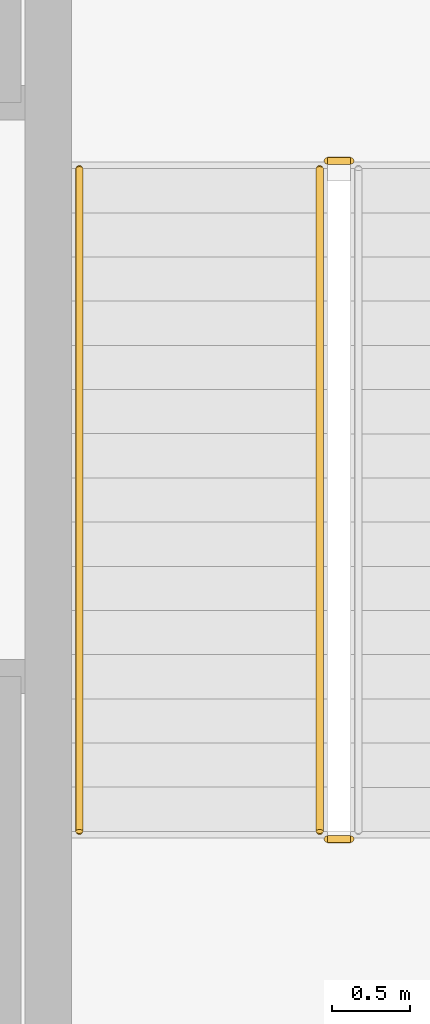
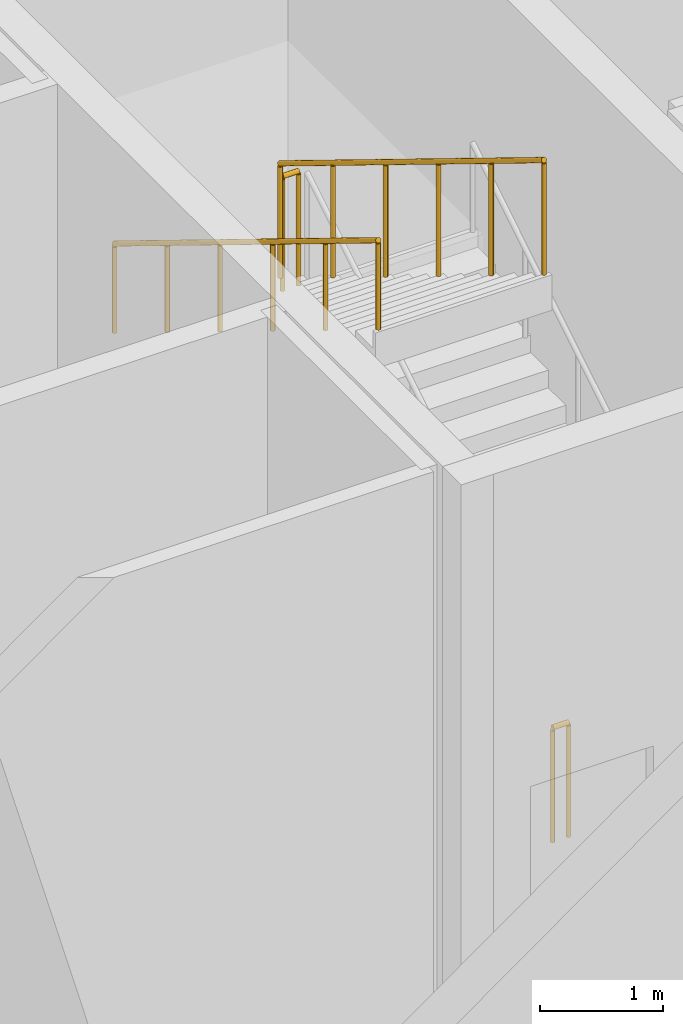
# One storey, part 19 of 21: 4 railings.
"""IFC4 building model written with IfcOpenShell, lengths in metres."""

from ifc_helpers import new_model, si_unit, direction, frame, origin, origin_2d, place, context, subcontext, project, spatial, circle, extrude, material, type_object, element, save


model = new_model("IFC4")

# Units and contexts
model_context = context("Model", 3, precision=1e-05, world=origin(), true_north=direction((0.0, 1.0)))
body_context = subcontext(model_context, "Body", "Model", "MODEL_VIEW")
ifc_project = project(units=[si_unit("LENGTHUNIT", "METRE"), si_unit("AREAUNIT", "SQUARE_METRE"), si_unit("VOLUMEUNIT", "CUBIC_METRE"), si_unit("PLANEANGLEUNIT", "RADIAN"), si_unit("MASSUNIT", "GRAM", prefix="KILO")], contexts=[model_context])

# Site, building, storey
site_placement = place(None, origin())
site = spatial("IfcSite", under=ifc_project, at=site_placement, CompositionType="ELEMENT")
building_placement = place(site_placement, origin())
building = spatial("IfcBuilding", under=site, at=building_placement, Name="Nhamokura Convention Tower", CompositionType="ELEMENT")
storey_placement = place(building_placement, frame((0.0, 0.0, 12.25)))
storey = spatial("IfcBuildingStorey", under=building, at=storey_placement, Name="L02", CompositionType="ELEMENT", Elevation=12.25)

# Railings
ifc_material_1 = material(Name="Anodised bronze stainless steel", Category="steel")
railing_type_1 = type_object("IfcRailingType", Name="StairWallHandrail_900", PredefinedType="HANDRAIL", material=ifc_material_1)
railing_1_placement = place(storey_placement, frame((30.300048828125, 39.425048828125, 2.97509765625)))
element("IfcRailing", 1, at=railing_1_placement, inside=storey, type_object=railing_type_1, Name="L02 ST-03 stair handrail 2", PredefinedType="HANDRAIL", context=body_context, shape_type="SweptSolid", body=[
    extrude(circle(Radius=0.02392578125, at=origin_2d()), frame((0.0, 0.0, 0.8759765625), z_axis=(0.0, -0.852179220489, 0.52325001306), x_axis=(1.0, 0.0, 0.0)), (0.0, 0.0, 1.0), 5.0166015625),
    extrude(circle(Radius=0.02099609375, at=origin_2d()), origin(), (0.0, 0.0, 1.0), 0.851806640625),
    extrude(circle(Radius=0.02099609375, at=origin_2d()), frame((0.0, -0.85498046875, 0.52490234375)), (0.0, 0.0, 1.0), 0.851806640625),
    extrude(circle(Radius=0.02099609375, at=origin_2d()), frame((0.0, -1.7099609375, 1.050048828125)), (0.0, 0.0, 1.0), 0.851806640625),
    extrude(circle(Radius=0.02099609375, at=origin_2d()), frame((0.0, -2.565185546875, 1.574951171875)), (0.0, 0.0, 1.0), 0.851806640625),
    extrude(circle(Radius=0.02099609375, at=origin_2d()), frame((0.0, -3.420166015625, 2.10009765625)), (0.0, 0.0, 1.0), 0.851806640625),
    extrude(circle(Radius=0.02099609375, at=origin_2d()), frame((0.0, -4.275146484375, 2.625)), (0.0, 0.0, 1.0), 0.851806640625),
])
ifc_material_2 = material(Name="Painted tubular steel", Category="steel")
railing_type_2 = type_object("IfcRailingType", Name="StairWellGuardrail_1150", PredefinedType="GUARDRAIL", material=ifc_material_2)
railing_2_placement = place(storey_placement, frame((32.050048828125, 39.47509765625, 2.800048828125)))
element("IfcRailing", 2, at=railing_2_placement, inside=storey, type_object=railing_type_2, Name="L02 ST-03 stair guard 2", PredefinedType="GUARDRAIL", context=body_context, shape_type="SweptSolid", body=[
    extrude(circle(Radius=0.02392578125, at=origin_2d()), frame((0.0, 0.0, 1.1259765625), z_axis=(-1.0, 0.0, 0.0), x_axis=(0.0, -1.0, 0.0)), (0.0, 0.0, 1.0), 0.150146484375),
    extrude(circle(Radius=0.02099609375, at=origin_2d()), origin(), (0.0, 0.0, 1.0), 1.101806640625),
    extrude(circle(Radius=0.02099609375, at=origin_2d()), frame((-0.150146484375, 0.0, 0.0)), (0.0, 0.0, 1.0), 1.101806640625),
])
railing_3_placement = place(storey_placement, frame((31.85009765625, 39.425048828125, 2.97509765625)))
element("IfcRailing", 3, at=railing_3_placement, inside=storey, type_object=railing_type_2, Name="L02 ST-03 stair guard 3", PredefinedType="GUARDRAIL", context=body_context, shape_type="SweptSolid", body=[
    extrude(circle(Radius=0.02392578125, at=origin_2d()), frame((0.0, 0.0, 1.1259765625), z_axis=(0.0, -0.852179220489, 0.52325001306), x_axis=(1.0, 0.0, 0.0)), (0.0, 0.0, 1.0), 5.0166015625),
    extrude(circle(Radius=0.02099609375, at=origin_2d()), origin(), (0.0, 0.0, 1.0), 1.101806640625),
    extrude(circle(Radius=0.02099609375, at=origin_2d()), frame((0.0, -0.85498046875, 0.52490234375)), (0.0, 0.0, 1.0), 1.101806640625),
    extrude(circle(Radius=0.02099609375, at=origin_2d()), frame((0.0, -1.7099609375, 1.050048828125)), (0.0, 0.0, 1.0), 1.101806640625),
    extrude(circle(Radius=0.02099609375, at=origin_2d()), frame((0.0, -2.565185546875, 1.574951171875)), (0.0, 0.0, 1.0), 1.101806640625),
    extrude(circle(Radius=0.02099609375, at=origin_2d()), frame((0.0, -3.420166015625, 2.10009765625)), (0.0, 0.0, 1.0), 1.101806640625),
    extrude(circle(Radius=0.02099609375, at=origin_2d()), frame((0.0, -4.275146484375, 2.625)), (0.0, 0.0, 1.0), 1.101806640625),
])
railing_4_placement = place(storey_placement, frame((32.050048828125, 35.10009765625, 0.0)))
element("IfcRailing", 4, at=railing_4_placement, inside=storey, type_object=railing_type_2, Name="L02 ST-03 stair guard 4", PredefinedType="GUARDRAIL", context=body_context, shape_type="SweptSolid", body=[
    extrude(circle(Radius=0.02392578125, at=origin_2d()), frame((0.0, 0.0, 1.1259765625), z_axis=(-1.0, 0.0, 0.0), x_axis=(0.0, -1.0, 0.0)), (0.0, 0.0, 1.0), 0.150146484375),
    extrude(circle(Radius=0.02099609375, at=origin_2d()), origin(), (0.0, 0.0, 1.0), 1.101806640625),
    extrude(circle(Radius=0.02099609375, at=origin_2d()), frame((-0.150146484375, 0.0, 0.0)), (0.0, 0.0, 1.0), 1.101806640625),
])

save(model, "model.ifc")
